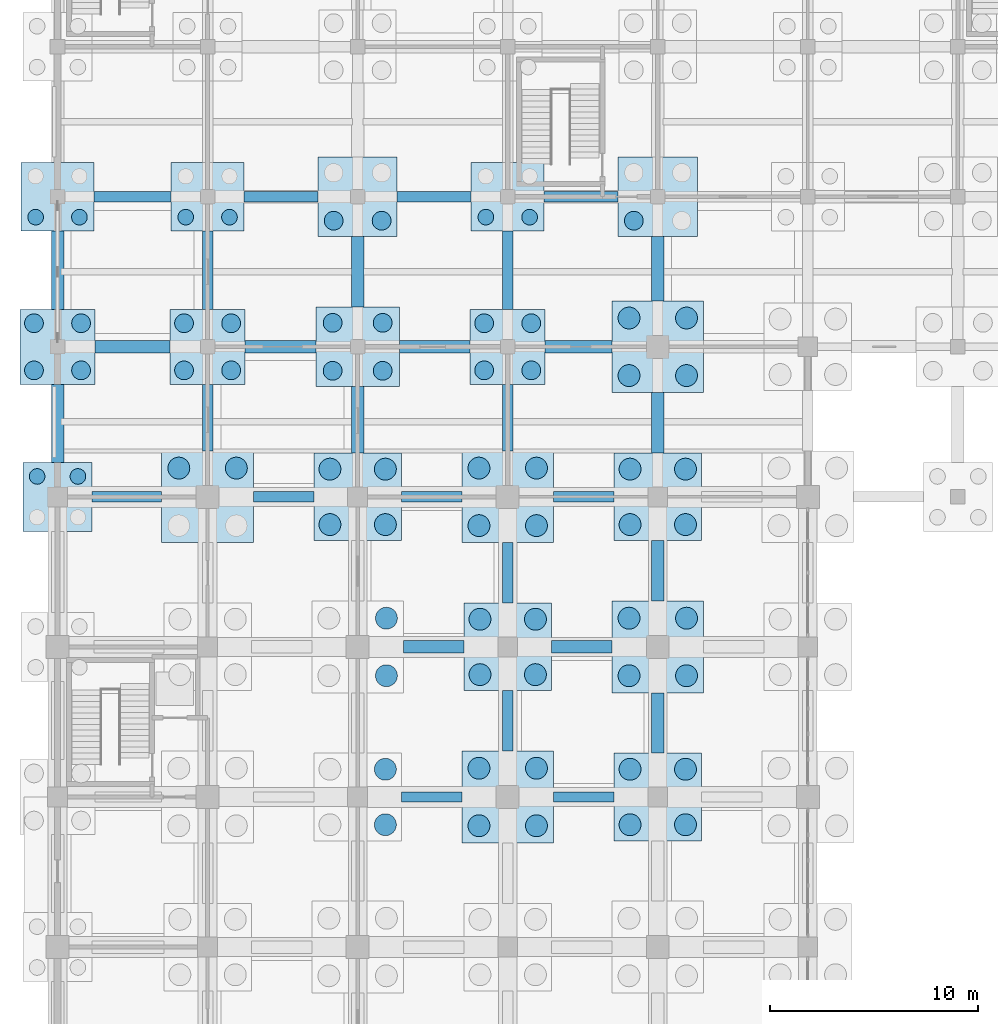
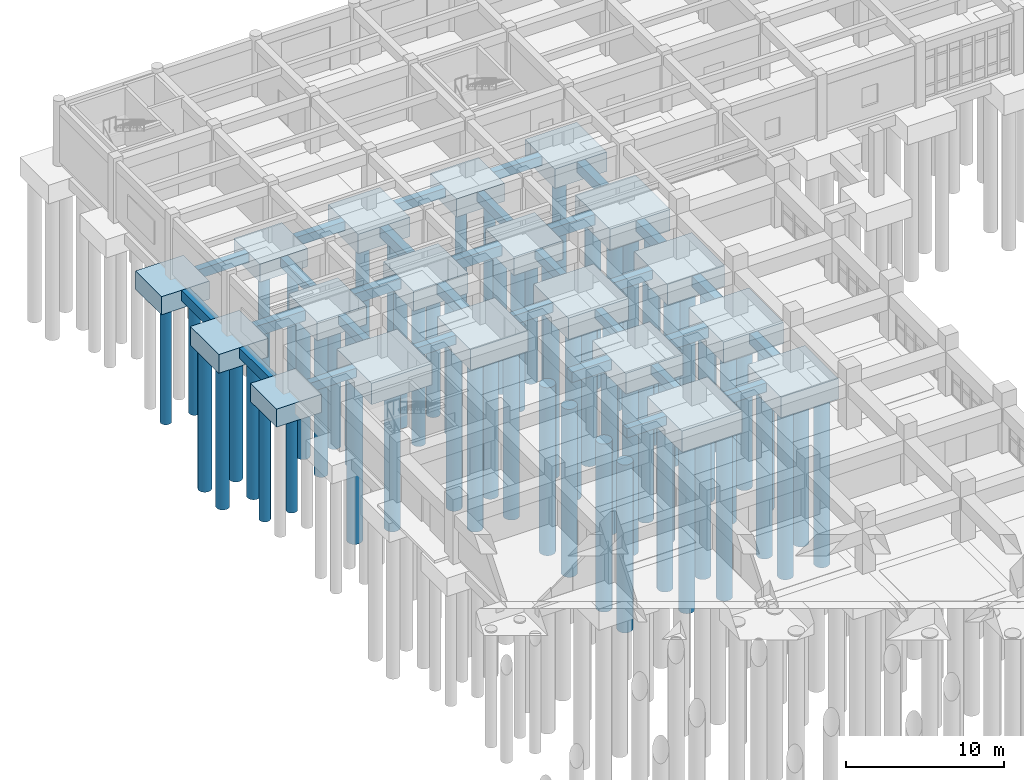
# One storey, part 7 of 79: 65 piles, 49 footings.
"""IFC4 building model written with IfcOpenShell, lengths in metres."""

from ifc_helpers import new_model, si_unit, direction, frame, origin, origin_2d, place, context, subcontext, project, spatial, polyline, rectangle, circle, outline, extrude, material, material_profile, profile_set, type_object, element, save


model = new_model("IFC4")

# Units and contexts
model_context = context("Model", 3, precision=1e-05, world=origin(), true_north=direction((0.0, 1.0)))
body_context = subcontext(model_context, "Body", "Model", "MODEL_VIEW")
ifc_project = project(units=[si_unit("LENGTHUNIT", "METRE"), si_unit("AREAUNIT", "SQUARE_METRE"), si_unit("VOLUMEUNIT", "CUBIC_METRE"), si_unit("PLANEANGLEUNIT", "RADIAN"), si_unit("MASSUNIT", "GRAM", prefix="KILO")], contexts=[model_context])

# Site, building, storey
site_placement = place(None, origin())
site = spatial("IfcSite", under=ifc_project, at=site_placement, CompositionType="ELEMENT")
building_placement = place(site_placement, origin())
building = spatial("IfcBuilding", under=site, at=building_placement, Name="Kavelor Marine Aquarium", CompositionType="ELEMENT")
storey_placement = place(building_placement, origin())
storey = spatial("IfcBuildingStorey", under=building, at=storey_placement, Name="L00", CompositionType="ELEMENT", Elevation=0.0)

# Footings
ifc_material_1 = material(Name="Concrete C40/50", Category="concrete")
footing_type_1 = type_object("IfcFootingType", Name="CAP-PC01", PredefinedType="PILE_CAP", material=ifc_material_1)
footing_1_placement = place(storey_placement, frame((0.0, 0.0, -2.0)))
element("IfcFooting", 1, at=footing_1_placement, inside=storey, type_object=footing_type_1, Name="Pile Cap PC01 (2-L)", PredefinedType="PILE_CAP", context=body_context, shape_type="SweptSolid", body=[
    extrude(outline(polyline([(8.199951171875, 79.800048828125), (12.60009765625, 79.800048828125), (12.60009765625, 84.199951171875), (8.199951171875, 84.199951171875), (8.199951171875, 79.800048828125)])), origin(), (0.0, 0.0, 1.0), 1.64990234375),
])
footing_2_placement = place(storey_placement, frame((0.0, 0.0, -2.0)))
element("IfcFooting", 2, at=footing_2_placement, inside=storey, type_object=footing_type_1, Name="Pile Cap PC01 (4-J)", PredefinedType="PILE_CAP", context=body_context, shape_type="SweptSolid", body=[
    extrude(outline(polyline([(22.60009765625, 65.39990234375), (27.0, 65.39990234375), (27.0, 69.800048828125), (22.60009765625, 69.800048828125), (22.60009765625, 65.39990234375)])), origin(), (0.0, 0.0, 1.0), 1.64990234375),
])
footing_3_placement = place(storey_placement, frame((0.0, 0.0, -2.0)))
element("IfcFooting", 3, at=footing_3_placement, inside=storey, type_object=footing_type_1, Name="Pile Cap PC01 (4-L)", PredefinedType="PILE_CAP", context=body_context, shape_type="SweptSolid", body=[
    extrude(outline(polyline([(22.60009765625, 79.800048828125), (27.0, 79.800048828125), (27.0, 84.199951171875), (22.60009765625, 84.199951171875), (22.60009765625, 79.800048828125)])), origin(), (0.0, 0.0, 1.0), 1.64990234375),
])
footing_4_placement = place(storey_placement, frame((0.0, 0.0, -2.0)))
element("IfcFooting", 4, at=footing_4_placement, inside=storey, type_object=footing_type_1, Name="Pile Cap PC01 (5-K)", PredefinedType="PILE_CAP", context=body_context, shape_type="SweptSolid", body=[
    extrude(outline(polyline([(29.800048828125, 72.60009765625), (34.199951171875, 72.60009765625), (34.199951171875, 77.0), (29.800048828125, 77.0), (29.800048828125, 72.60009765625)])), origin(), (0.0, 0.0, 1.0), 1.64990234375),
])
footing_5_placement = place(storey_placement, frame((0.0, 0.0, -2.0)))
element("IfcFooting", 5, at=footing_5_placement, inside=storey, type_object=footing_type_1, Name="Pile Cap PC01 (5-M)", PredefinedType="PILE_CAP", context=body_context, shape_type="SweptSolid", body=[
    extrude(outline(polyline([(29.800048828125, 87.0), (34.199951171875, 87.0), (34.199951171875, 91.39990234375), (29.800048828125, 91.39990234375), (29.800048828125, 87.0)])), origin(), (0.0, 0.0, 1.0), 1.64990234375),
])
ifc_material_2 = material(Name="Concrete C40/50", Category="concrete")
footing_type_2 = type_object("IfcFootingType", Name="CAP-PC02", PredefinedType="PILE_CAP", material=ifc_material_2)
footing_6_placement = place(storey_placement, frame((0.0, 0.0, -1.949951171875)))
element("IfcFooting", 6, at=footing_6_placement, inside=storey, type_object=footing_type_2, Name="Pile Cap PC02 (3-L)", PredefinedType="PILE_CAP", context=body_context, shape_type="SweptSolid", body=[
    extrude(outline(polyline([(15.5, 79.89990234375), (19.699951171875, 79.89990234375), (19.699951171875, 84.10009765625), (15.5, 84.10009765625), (15.5, 79.89990234375)])), origin(), (0.0, 0.0, 1.0), 1.599853515625),
])
footing_7_placement = place(storey_placement, frame((0.0, 0.0, -1.949951171875)))
element("IfcFooting", 7, at=footing_7_placement, inside=storey, type_object=footing_type_2, Name="Pile Cap PC02 (4-K)", PredefinedType="PILE_CAP", context=body_context, shape_type="SweptSolid", body=[
    extrude(outline(polyline([(22.699951171875, 72.699951171875), (26.89990234375, 72.699951171875), (26.89990234375, 76.89990234375), (22.699951171875, 76.89990234375), (22.699951171875, 72.699951171875)])), origin(), (0.0, 0.0, 1.0), 1.599853515625),
])
footing_8_placement = place(storey_placement, frame((0.0, 0.0, -1.949951171875)))
element("IfcFooting", 8, at=footing_8_placement, inside=storey, type_object=footing_type_2, Name="Pile Cap PC02 (5-J)", PredefinedType="PILE_CAP", context=body_context, shape_type="SweptSolid", body=[
    extrude(outline(polyline([(29.89990234375, 65.5), (34.10009765625, 65.5), (34.10009765625, 69.699951171875), (29.89990234375, 69.699951171875), (29.89990234375, 65.5)])), origin(), (0.0, 0.0, 1.0), 1.599853515625),
])
footing_9_placement = place(storey_placement, frame((0.0, 0.0, -1.949951171875)))
element("IfcFooting", 9, at=footing_9_placement, inside=storey, type_object=footing_type_2, Name="Pile Cap PC02 (5-L)", PredefinedType="PILE_CAP", context=body_context, shape_type="SweptSolid", body=[
    extrude(outline(polyline([(29.89990234375, 79.89990234375), (34.10009765625, 79.89990234375), (34.10009765625, 84.10009765625), (29.89990234375, 84.10009765625), (29.89990234375, 79.89990234375)])), origin(), (0.0, 0.0, 1.0), 1.599853515625),
])
ifc_material_3 = material(Name="Concrete C40/50", Category="concrete")
footing_type_3 = type_object("IfcFootingType", Name="CAP-PC03", PredefinedType="PILE_CAP", material=ifc_material_3)
footing_10_placement = place(storey_placement, frame((0.0, 0.0, -1.89990234375)))
element("IfcFooting", 10, at=footing_10_placement, inside=storey, type_object=footing_type_3, Name="Pile Cap PC03 (3-M)", PredefinedType="PILE_CAP", context=body_context, shape_type="SweptSolid", body=[
    extrude(outline(polyline([(15.60009765625, 87.300048828125), (19.60009765625, 87.300048828125), (19.60009765625, 91.10009765625), (15.60009765625, 91.10009765625), (15.60009765625, 87.300048828125)])), origin(), (0.0, 0.0, 1.0), 1.5498046875),
])
ifc_material_4 = material(Name="Concrete C40/50", Category="concrete")
footing_type_4 = type_object("IfcFootingType", Name="CAP-PC04", PredefinedType="PILE_CAP", material=ifc_material_4)
footing_11_placement = place(storey_placement, frame((0.0, 0.0, -1.85009765625)))
element("IfcFooting", 11, at=footing_11_placement, inside=storey, type_object=footing_type_4, Name="Pile Cap PC04 (3-N)", PredefinedType="PILE_CAP", context=body_context, shape_type="SweptSolid", body=[
    extrude(outline(polyline([(15.699951171875, 94.5), (19.5, 94.5), (19.5, 98.300048828125), (15.699951171875, 98.300048828125), (15.699951171875, 94.5)])), origin(), (0.0, 0.0, 1.0), 1.5),
])
footing_12_placement = place(storey_placement, frame((0.0, 0.0, -1.85009765625)))
element("IfcFooting", 12, at=footing_12_placement, inside=storey, type_object=footing_type_4, Name="Pile Cap PC04 (5-N)", PredefinedType="PILE_CAP", context=body_context, shape_type="SweptSolid", body=[
    extrude(outline(polyline([(30.10009765625, 94.5), (33.89990234375, 94.5), (33.89990234375, 98.300048828125), (30.10009765625, 98.300048828125), (30.10009765625, 94.5)])), origin(), (0.0, 0.0, 1.0), 1.5),
])
ifc_material_5 = material(Name="Concrete C40/50", Category="concrete")
footing_type_5 = type_object("IfcFootingType", Name="CAP-PC06", PredefinedType="PILE_CAP", material=ifc_material_5)
footing_13_placement = place(storey_placement, frame((0.0, 0.0, -1.800048828125)))
element("IfcFooting", 13, at=footing_13_placement, inside=storey, type_object=footing_type_5, Name="Pile Cap PC06 (1-M)", PredefinedType="PILE_CAP", context=body_context, shape_type="SweptSolid", body=[
    extrude(outline(polyline([(1.39990234375, 87.39990234375), (5.0, 87.39990234375), (5.0, 91.0), (1.39990234375, 91.0), (1.39990234375, 87.39990234375)])), origin(), (0.0, 0.0, 1.0), 1.449951171875),
])
footing_14_placement = place(storey_placement, frame((0.0, 0.0, -1.800048828125)))
element("IfcFooting", 14, at=footing_14_placement, inside=storey, type_object=footing_type_5, Name="Pile Cap PC06 (2-M)", PredefinedType="PILE_CAP", context=body_context, shape_type="SweptSolid", body=[
    extrude(outline(polyline([(8.60009765625, 87.39990234375), (12.199951171875, 87.39990234375), (12.199951171875, 91.0), (8.60009765625, 91.0), (8.60009765625, 87.39990234375)])), origin(), (0.0, 0.0, 1.0), 1.449951171875),
])
footing_15_placement = place(storey_placement, frame((0.0, 0.0, -1.800048828125)))
element("IfcFooting", 15, at=footing_15_placement, inside=storey, type_object=footing_type_5, Name="Pile Cap PC06 (4-M)", PredefinedType="PILE_CAP", context=body_context, shape_type="SweptSolid", body=[
    extrude(outline(polyline([(23.0, 87.39990234375), (26.60009765625, 87.39990234375), (26.60009765625, 91.0), (23.0, 91.0), (23.0, 87.39990234375)])), origin(), (0.0, 0.0, 1.0), 1.449951171875),
])
ifc_material_6 = material(Name="Concrete C40/50", Category="concrete")
footing_type_6 = type_object("IfcFootingType", Name="CAP-PC07", PredefinedType="PILE_CAP", material=ifc_material_6)
footing_16_placement = place(storey_placement, frame((0.0, 0.0, -1.75)))
element("IfcFooting", 16, at=footing_16_placement, inside=storey, type_object=footing_type_6, Name="Pile Cap PC07 (1-N)", PredefinedType="PILE_CAP", context=body_context, shape_type="SweptSolid", body=[
    extrude(outline(polyline([(1.449951171875, 94.75), (4.949951171875, 94.75), (4.949951171875, 98.050048828125), (1.449951171875, 98.050048828125), (1.449951171875, 94.75)])), origin(), (0.0, 0.0, 1.0), 1.39990234375),
])
footing_17_placement = place(storey_placement, frame((0.0, 0.0, -1.75)))
element("IfcFooting", 17, at=footing_17_placement, inside=storey, type_object=footing_type_6, Name="Pile Cap PC07 (2-N)", PredefinedType="PILE_CAP", context=body_context, shape_type="SweptSolid", body=[
    extrude(outline(polyline([(8.64990234375, 94.75), (12.14990234375, 94.75), (12.14990234375, 98.050048828125), (8.64990234375, 98.050048828125), (8.64990234375, 94.75)])), origin(), (0.0, 0.0, 1.0), 1.39990234375),
])
footing_18_placement = place(storey_placement, frame((0.0, 0.0, -1.75)))
element("IfcFooting", 18, at=footing_18_placement, inside=storey, type_object=footing_type_6, Name="Pile Cap PC07 (4-N)", PredefinedType="PILE_CAP", context=body_context, shape_type="SweptSolid", body=[
    extrude(outline(polyline([(23.050048828125, 94.75), (26.550048828125, 94.75), (26.550048828125, 98.050048828125), (23.050048828125, 98.050048828125), (23.050048828125, 94.75)])), origin(), (0.0, 0.0, 1.0), 1.39990234375),
])
ifc_material_7 = material(Name="Concrete C40/50", Category="concrete")
footing_type_7 = type_object("IfcFootingType", Name="CAP-PC08", PredefinedType="PILE_CAP", material=ifc_material_7)
footing_19_placement = place(storey_placement, frame((0.0, 0.0, -1.75)))
element("IfcFooting", 19, at=footing_19_placement, inside=storey, type_object=footing_type_7, Name="Pile Cap PC08 (1-L)", PredefinedType="PILE_CAP", context=body_context, shape_type="SweptSolid", body=[
    extrude(outline(polyline([(1.550048828125, 80.35009765625), (4.85009765625, 80.35009765625), (4.85009765625, 83.64990234375), (1.550048828125, 83.64990234375), (1.550048828125, 80.35009765625)])), origin(), (0.0, 0.0, 1.0), 1.39990234375),
])
ifc_material_8 = material(Name="Concrete C40/50", Category="concrete")
ifc_material_profile_1 = material_profile(ifc_material_8, rectangle(XDim=0.60009765625, YDim=0.800048828125, at=origin_2d()), Name="GB 600x800")
ifc_profile_set_1 = profile_set([ifc_material_profile_1], Name="Concrete C40/50")
footing_type_8 = type_object("IfcFootingType", Name="FTB-GB1", PredefinedType="FOOTING_BEAM", material=ifc_profile_set_1)
footing_20_placement = place(storey_placement, frame((3.199951171875, 83.64990234375, -0.75), z_axis=(0.0, 1.0, 0.0), x_axis=(-1.0, 0.0, 0.0)))
element("IfcFooting", 20, at=footing_20_placement, inside=storey, type_object=footing_type_8, Name="ftb:y:00_11", PredefinedType="FOOTING_BEAM", context=body_context, shape_type="SweptSolid", body=[
    extrude(rectangle(XDim=0.60009765625, YDim=0.800048828125, at=origin_2d()), origin(), (0.0, 0.0, 1.0), 3.75),
])
footing_21_placement = place(storey_placement, frame((5.0, 89.199951171875, -0.75), z_axis=(1.0, 0.0, 0.0), x_axis=(0.0, 1.0, 0.0)))
element("IfcFooting", 21, at=footing_21_placement, inside=storey, type_object=footing_type_8, Name="ftb:x:00_12", PredefinedType="FOOTING_BEAM", context=body_context, shape_type="SweptSolid", body=[
    extrude(rectangle(XDim=0.60009765625, YDim=0.800048828125, at=origin_2d()), origin(), (0.0, 0.0, 1.0), 3.60009765625),
])
footing_22_placement = place(storey_placement, frame((3.199951171875, 91.0, -0.75), z_axis=(0.0, 1.0, 0.0), x_axis=(-1.0, 0.0, 0.0)))
element("IfcFooting", 22, at=footing_22_placement, inside=storey, type_object=footing_type_8, Name="ftb:y:00_12", PredefinedType="FOOTING_BEAM", context=body_context, shape_type="SweptSolid", body=[
    extrude(rectangle(XDim=0.60009765625, YDim=0.800048828125, at=origin_2d()), origin(), (0.0, 0.0, 1.0), 3.75),
])
footing_23_placement = place(storey_placement, frame((12.199951171875, 89.199951171875, -0.75), z_axis=(1.0, 0.0, 0.0), x_axis=(0.0, 1.0, 0.0)))
element("IfcFooting", 23, at=footing_23_placement, inside=storey, type_object=footing_type_8, Name="ftb:x:01_12", PredefinedType="FOOTING_BEAM", context=body_context, shape_type="SweptSolid", body=[
    extrude(rectangle(XDim=0.60009765625, YDim=0.800048828125, at=origin_2d()), origin(), (0.0, 0.0, 1.0), 3.400146484375),
])
footing_24_placement = place(storey_placement, frame((19.800048828125, 74.800048828125, -0.75), z_axis=(1.0, 0.0, 0.0), x_axis=(0.0, 1.0, 0.0)))
element("IfcFooting", 24, at=footing_24_placement, inside=storey, type_object=footing_type_8, Name="ftb:x:02_10", PredefinedType="FOOTING_BEAM", context=body_context, shape_type="SweptSolid", body=[
    extrude(rectangle(XDim=0.60009765625, YDim=0.800048828125, at=origin_2d()), origin(), (0.0, 0.0, 1.0), 2.89990234375),
])
footing_25_placement = place(storey_placement, frame((17.60009765625, 84.10009765625, -0.75), z_axis=(0.0, 1.0, 0.0), x_axis=(-1.0, 0.0, 0.0)))
element("IfcFooting", 25, at=footing_25_placement, inside=storey, type_object=footing_type_8, Name="ftb:y:02_11", PredefinedType="FOOTING_BEAM", context=body_context, shape_type="SweptSolid", body=[
    extrude(rectangle(XDim=0.60009765625, YDim=0.800048828125, at=origin_2d()), origin(), (0.0, 0.0, 1.0), 3.199951171875),
])
for number, where, z_axis, x_axis, name in (
    (26, (19.60009765625, 89.199951171875, -0.75), (1.0, 0.0, 0.0), (0.0, 1.0, 0.0), "ftb:x:02_12"),
    (27, (17.60009765625, 91.10009765625, -0.75), (0.0, 1.0, 0.0), (-1.0, 0.0, 0.0), "ftb:y:02_12"),
):
    element("IfcFooting", number, at=place(storey_placement, frame(where, z_axis=z_axis, x_axis=x_axis)), inside=storey, type_object=footing_type_8, Name=name, PredefinedType="FOOTING_BEAM", context=body_context, shape_type="SweptSolid", body=[
        extrude(rectangle(XDim=0.60009765625, YDim=0.800048828125, at=origin_2d()), origin(), (0.0, 0.0, 1.0), 3.39990234375),
    ])
footing_26_placement = place(storey_placement, frame((26.89990234375, 74.800048828125, -0.75), z_axis=(1.0, 0.0, 0.0), x_axis=(0.0, 1.0, 0.0)))
element("IfcFooting", 28, at=footing_26_placement, inside=storey, type_object=footing_type_8, Name="ftb:x:03_10", PredefinedType="FOOTING_BEAM", context=body_context, shape_type="SweptSolid", body=[
    extrude(rectangle(XDim=0.60009765625, YDim=0.800048828125, at=origin_2d()), origin(), (0.0, 0.0, 1.0), 2.900146484375),
])
footing_27_placement = place(storey_placement, frame((26.60009765625, 89.199951171875, -0.75), z_axis=(1.0, 0.0, 0.0), x_axis=(0.0, 1.0, 0.0)))
element("IfcFooting", 29, at=footing_27_placement, inside=storey, type_object=footing_type_8, Name="ftb:x:03_12", PredefinedType="FOOTING_BEAM", context=body_context, shape_type="SweptSolid", body=[
    extrude(rectangle(XDim=0.60009765625, YDim=0.800048828125, at=origin_2d()), origin(), (0.0, 0.0, 1.0), 3.199951171875),
])
footing_28_placement = place(storey_placement, frame((32.0, 69.699951171875, -0.75), z_axis=(0.0, 1.0, 0.0), x_axis=(-1.0, 0.0, 0.0)))
element("IfcFooting", 30, at=footing_28_placement, inside=storey, type_object=footing_type_8, Name="ftb:y:04_09", PredefinedType="FOOTING_BEAM", context=body_context, shape_type="SweptSolid", body=[
    extrude(rectangle(XDim=0.60009765625, YDim=0.800048828125, at=origin_2d()), origin(), (0.0, 0.0, 1.0), 2.900146484375),
])
for number, where, z_axis, x_axis, name in (
    (31, (32.0, 77.0, -0.75), (0.0, 1.0, 0.0), (-1.0, 0.0, 0.0), "ftb:y:04_10"),
    (32, (32.0, 84.10009765625, -0.75), (0.0, 1.0, 0.0), (-1.0, 0.0, 0.0), "ftb:y:04_11"),
):
    element("IfcFooting", number, at=place(storey_placement, frame(where, z_axis=z_axis, x_axis=x_axis)), inside=storey, type_object=footing_type_8, Name=name, PredefinedType="FOOTING_BEAM", context=body_context, shape_type="SweptSolid", body=[
        extrude(rectangle(XDim=0.60009765625, YDim=0.800048828125, at=origin_2d()), origin(), (0.0, 0.0, 1.0), 2.89990234375),
    ])
footing_29_placement = place(storey_placement, frame((32.0, 91.39990234375, -0.75), z_axis=(0.0, 1.0, 0.0), x_axis=(-1.0, 0.0, 0.0)))
element("IfcFooting", 33, at=footing_29_placement, inside=storey, type_object=footing_type_8, Name="ftb:y:04_12", PredefinedType="FOOTING_BEAM", context=body_context, shape_type="SweptSolid", body=[
    extrude(rectangle(XDim=0.60009765625, YDim=0.800048828125, at=origin_2d()), origin(), (0.0, 0.0, 1.0), 3.10009765625),
])
ifc_material_9 = material(Name="Concrete C40/50", Category="concrete")
ifc_material_profile_2 = material_profile(ifc_material_9, rectangle(XDim=0.5, YDim=0.699951171875, at=origin_2d()), Name="GB 500x700")
ifc_profile_set_2 = profile_set([ifc_material_profile_2], Name="Concrete C40/50")
footing_type_9 = type_object("IfcFootingType", Name="FTB-GB2", PredefinedType="FOOTING_BEAM", material=ifc_profile_set_2)
footing_30_placement = place(storey_placement, frame((4.85009765625, 82.0, -0.699951171875), z_axis=(1.0, 0.0, 0.0), x_axis=(0.0, 1.0, 0.0)))
element("IfcFooting", 34, at=footing_30_placement, inside=storey, type_object=footing_type_9, Name="ftb:x:00_11", PredefinedType="FOOTING_BEAM", context=body_context, shape_type="SweptSolid", body=[
    extrude(rectangle(XDim=0.5, YDim=0.699951171875, at=origin_2d()), origin(), (0.0, 0.0, 1.0), 3.349853515625),
])
footing_31_placement = place(storey_placement, frame((4.949951171875, 96.39990234375, -0.699951171875), z_axis=(1.0, 0.0, 0.0), x_axis=(0.0, 1.0, 0.0)))
element("IfcFooting", 35, at=footing_31_placement, inside=storey, type_object=footing_type_9, Name="ftb:x:00_13", PredefinedType="FOOTING_BEAM", context=body_context, shape_type="SweptSolid", body=[
    extrude(rectangle(XDim=0.5, YDim=0.699951171875, at=origin_2d()), origin(), (0.0, 0.0, 1.0), 3.699951171875),
])
footing_32_placement = place(storey_placement, frame((12.60009765625, 82.0, -0.699951171875), z_axis=(1.0, 0.0, 0.0), x_axis=(0.0, 1.0, 0.0)))
element("IfcFooting", 36, at=footing_32_placement, inside=storey, type_object=footing_type_9, Name="ftb:x:01_11", PredefinedType="FOOTING_BEAM", context=body_context, shape_type="SweptSolid", body=[
    extrude(rectangle(XDim=0.5, YDim=0.699951171875, at=origin_2d()), origin(), (0.0, 0.0, 1.0), 2.89990234375),
])
footing_33_placement = place(storey_placement, frame((10.39990234375, 84.199951171875, -0.699951171875), z_axis=(0.0, 1.0, 0.0), x_axis=(-1.0, 0.0, 0.0)))
element("IfcFooting", 37, at=footing_33_placement, inside=storey, type_object=footing_type_9, Name="ftb:y:01_11", PredefinedType="FOOTING_BEAM", context=body_context, shape_type="SweptSolid", body=[
    extrude(rectangle(XDim=0.5, YDim=0.699951171875, at=origin_2d()), origin(), (0.0, 0.0, 1.0), 3.199951171875),
])
footing_34_placement = place(storey_placement, frame((10.39990234375, 91.0, -0.699951171875), z_axis=(0.0, 1.0, 0.0), x_axis=(-1.0, 0.0, 0.0)))
element("IfcFooting", 38, at=footing_34_placement, inside=storey, type_object=footing_type_9, Name="ftb:y:01_12", PredefinedType="FOOTING_BEAM", context=body_context, shape_type="SweptSolid", body=[
    extrude(rectangle(XDim=0.5, YDim=0.699951171875, at=origin_2d()), origin(), (0.0, 0.0, 1.0), 3.75),
])
footing_35_placement = place(storey_placement, frame((12.14990234375, 96.39990234375, -0.699951171875), z_axis=(1.0, 0.0, 0.0), x_axis=(0.0, 1.0, 0.0)))
element("IfcFooting", 39, at=footing_35_placement, inside=storey, type_object=footing_type_9, Name="ftb:x:01_13", PredefinedType="FOOTING_BEAM", context=body_context, shape_type="SweptSolid", body=[
    extrude(rectangle(XDim=0.5, YDim=0.699951171875, at=origin_2d()), origin(), (0.0, 0.0, 1.0), 3.550048828125),
])
for number, where, z_axis, x_axis, name in (
    (40, (19.699951171875, 67.60009765625, -0.699951171875), (1.0, 0.0, 0.0), (0.0, 1.0, 0.0), "ftb:x:02_09"),
    (41, (19.699951171875, 82.0, -0.699951171875), (1.0, 0.0, 0.0), (0.0, 1.0, 0.0), "ftb:x:02_11"),
):
    element("IfcFooting", number, at=place(storey_placement, frame(where, z_axis=z_axis, x_axis=x_axis)), inside=storey, type_object=footing_type_9, Name=name, PredefinedType="FOOTING_BEAM", context=body_context, shape_type="SweptSolid", body=[
        extrude(rectangle(XDim=0.5, YDim=0.699951171875, at=origin_2d()), origin(), (0.0, 0.0, 1.0), 2.900146484375),
    ])
footing_36_placement = place(storey_placement, frame((19.5, 96.39990234375, -0.699951171875), z_axis=(1.0, 0.0, 0.0), x_axis=(0.0, 1.0, 0.0)))
element("IfcFooting", 42, at=footing_36_placement, inside=storey, type_object=footing_type_9, Name="ftb:x:02_13", PredefinedType="FOOTING_BEAM", context=body_context, shape_type="SweptSolid", body=[
    extrude(rectangle(XDim=0.5, YDim=0.699951171875, at=origin_2d()), origin(), (0.0, 0.0, 1.0), 3.550048828125),
])
for number, where, z_axis, x_axis, name in (
    (43, (27.0, 67.60009765625, -0.699951171875), (1.0, 0.0, 0.0), (0.0, 1.0, 0.0), "ftb:x:03_09"),
    (44, (24.800048828125, 69.800048828125, -0.699951171875), (0.0, 1.0, 0.0), (-1.0, 0.0, 0.0), "ftb:y:03_09"),
):
    element("IfcFooting", number, at=place(storey_placement, frame(where, z_axis=z_axis, x_axis=x_axis)), inside=storey, type_object=footing_type_9, Name=name, PredefinedType="FOOTING_BEAM", context=body_context, shape_type="SweptSolid", body=[
        extrude(rectangle(XDim=0.5, YDim=0.699951171875, at=origin_2d()), origin(), (0.0, 0.0, 1.0), 2.89990234375),
    ])
footing_37_placement = place(storey_placement, frame((24.800048828125, 76.89990234375, -0.699951171875), z_axis=(0.0, 1.0, 0.0), x_axis=(-1.0, 0.0, 0.0)))
element("IfcFooting", 45, at=footing_37_placement, inside=storey, type_object=footing_type_9, Name="ftb:y:03_10", PredefinedType="FOOTING_BEAM", context=body_context, shape_type="SweptSolid", body=[
    extrude(rectangle(XDim=0.5, YDim=0.699951171875, at=origin_2d()), origin(), (0.0, 0.0, 1.0), 2.900146484375),
])
footing_38_placement = place(storey_placement, frame((27.0, 82.0, -0.699951171875), z_axis=(1.0, 0.0, 0.0), x_axis=(0.0, 1.0, 0.0)))
element("IfcFooting", 46, at=footing_38_placement, inside=storey, type_object=footing_type_9, Name="ftb:x:03_11", PredefinedType="FOOTING_BEAM", context=body_context, shape_type="SweptSolid", body=[
    extrude(rectangle(XDim=0.5, YDim=0.699951171875, at=origin_2d()), origin(), (0.0, 0.0, 1.0), 2.89990234375),
])
footing_39_placement = place(storey_placement, frame((24.800048828125, 84.199951171875, -0.699951171875), z_axis=(0.0, 1.0, 0.0), x_axis=(-1.0, 0.0, 0.0)))
element("IfcFooting", 47, at=footing_39_placement, inside=storey, type_object=footing_type_9, Name="ftb:y:03_11", PredefinedType="FOOTING_BEAM", context=body_context, shape_type="SweptSolid", body=[
    extrude(rectangle(XDim=0.5, YDim=0.699951171875, at=origin_2d()), origin(), (0.0, 0.0, 1.0), 3.199951171875),
])
footing_40_placement = place(storey_placement, frame((24.800048828125, 91.0, -0.699951171875), z_axis=(0.0, 1.0, 0.0), x_axis=(-1.0, 0.0, 0.0)))
element("IfcFooting", 48, at=footing_40_placement, inside=storey, type_object=footing_type_9, Name="ftb:y:03_12", PredefinedType="FOOTING_BEAM", context=body_context, shape_type="SweptSolid", body=[
    extrude(rectangle(XDim=0.5, YDim=0.699951171875, at=origin_2d()), origin(), (0.0, 0.0, 1.0), 3.75),
])
footing_41_placement = place(storey_placement, frame((26.550048828125, 96.39990234375, -0.699951171875), z_axis=(1.0, 0.0, 0.0), x_axis=(0.0, 1.0, 0.0)))
element("IfcFooting", 49, at=footing_41_placement, inside=storey, type_object=footing_type_9, Name="ftb:x:03_13", PredefinedType="FOOTING_BEAM", context=body_context, shape_type="SweptSolid", body=[
    extrude(rectangle(XDim=0.5, YDim=0.699951171875, at=origin_2d()), origin(), (0.0, 0.0, 1.0), 3.550048828125),
])

# Piles
ifc_material_10 = material(Name="Concrete C40/50", Category="concrete")
ifc_material_profile_3 = material_profile(ifc_material_10, circle(Radius=0.52490234375, at=origin_2d()), Name="PILE D1050")
ifc_profile_set_3 = profile_set([ifc_material_profile_3], Name="Concrete C40/50")
pile_type_1 = type_object("IfcPileType", Name="PILE-P1", PredefinedType="BORED", material=ifc_profile_set_3)
for number, where, z_axis, x_axis, name in (
    (50, (9.02001953125, 83.3798828125, -1.89990234375), (0.0, 0.0, -1.0), (1.0, 0.0, 0.0), "Bored Pile P1 (2-L-3)"),
    (51, (11.780029296875, 83.3798828125, -1.89990234375), (0.0, 0.0, -1.0), (1.0, 0.0, 0.0), "Bored Pile P1 (2-L-4)"),
    (52, (18.929931640625, 66.27001953125, -1.85009765625), (0.0, 0.0, -1.0), (1.0, 0.0, 0.0), "Bored Pile P1 (3-J-2)"),
    (53, (18.929931640625, 68.929931640625, -1.85009765625), (0.0, 0.0, -1.0), (1.0, 0.0, 0.0), "Bored Pile P1 (3-J-4)"),
    (54, (18.97998046875, 73.419921875, -1.89990234375), (0.0, 0.0, -1.0), (1.0, 0.0, 0.0), "Bored Pile P1 (3-K-2)"),
    (55, (18.97998046875, 76.179931640625, -1.89990234375), (0.0, 0.0, -1.0), (1.0, 0.0, 0.0), "Bored Pile P1 (3-K-4)"),
    (56, (16.27001953125, 80.669921875, -1.85009765625), (0.0, 0.0, -1.0), (1.0, 0.0, 0.0), "Bored Pile P1 (3-L-1)"),
    (57, (18.929931640625, 80.669921875, -1.85009765625), (0.0, 0.0, -1.0), (1.0, 0.0, 0.0), "Bored Pile P1 (3-L-2)"),
    (58, (16.27001953125, 83.330078125, -1.85009765625), (0.0, 0.0, -1.0), (1.0, 0.0, 0.0), "Bored Pile P1 (3-L-3)"),
    (59, (18.929931640625, 83.330078125, -1.85009765625), (0.0, 0.0, -1.0), (1.0, 0.0, 0.0), "Bored Pile P1 (3-L-4)"),
    (60, (23.419921875, 66.219970703125, -1.89990234375), (0.0, 0.0, -1.0), (1.0, 0.0, 0.0), "Bored Pile P1 (4-J-1)"),
    (61, (26.179931640625, 66.219970703125, -1.89990234375), (0.0, 0.0, -1.0), (1.0, 0.0, 0.0), "Bored Pile P1 (4-J-2)"),
    (62, (23.419921875, 68.97998046875, -1.89990234375), (0.0, 0.0, -1.0), (1.0, 0.0, 0.0), "Bored Pile P1 (4-J-3)"),
    (63, (26.179931640625, 68.97998046875, -1.89990234375), (0.0, 0.0, -1.0), (1.0, 0.0, 0.0), "Bored Pile P1 (4-J-4)"),
    (64, (23.469970703125, 73.469970703125, -1.85009765625), (0.0, 0.0, -1.0), (1.0, 0.0, 0.0), "Bored Pile P1 (4-K-1)"),
    (65, (26.1298828125, 73.469970703125, -1.85009765625), (0.0, 0.0, -1.0), (1.0, 0.0, 0.0), "Bored Pile P1 (4-K-2)"),
    (66, (23.469970703125, 76.1298828125, -1.85009765625), (0.0, 0.0, -1.0), (1.0, 0.0, 0.0), "Bored Pile P1 (4-K-3)"),
    (67, (26.1298828125, 76.1298828125, -1.85009765625), (0.0, 0.0, -1.0), (1.0, 0.0, 0.0), "Bored Pile P1 (4-K-4)"),
    (68, (23.419921875, 80.6201171875, -1.89990234375), (0.0, 0.0, -1.0), (1.0, 0.0, 0.0), "Bored Pile P1 (4-L-1)"),
    (69, (26.179931640625, 80.6201171875, -1.89990234375), (0.0, 0.0, -1.0), (1.0, 0.0, 0.0), "Bored Pile P1 (4-L-2)"),
    (70, (23.419921875, 83.3798828125, -1.89990234375), (0.0, 0.0, -1.0), (1.0, 0.0, 0.0), "Bored Pile P1 (4-L-3)"),
    (71, (26.179931640625, 83.3798828125, -1.89990234375), (0.0, 0.0, -1.0), (1.0, 0.0, 0.0), "Bored Pile P1 (4-L-4)"),
    (72, (30.669921875, 66.27001953125, -1.85009765625), (0.0, 0.0, -1.0), (1.0, 0.0, 0.0), "Bored Pile P1 (5-J-1)"),
    (73, (33.330078125, 66.27001953125, -1.85009765625), (0.0, 0.0, -1.0), (1.0, 0.0, 0.0), "Bored Pile P1 (5-J-2)"),
    (74, (30.669921875, 68.929931640625, -1.85009765625), (0.0, 0.0, -1.0), (1.0, 0.0, 0.0), "Bored Pile P1 (5-J-3)"),
    (75, (33.330078125, 68.929931640625, -1.85009765625), (0.0, 0.0, -1.0), (1.0, 0.0, 0.0), "Bored Pile P1 (5-J-4)"),
    (76, (30.6201171875, 73.419921875, -1.89990234375), (0.0, 0.0, -1.0), (1.0, 0.0, 0.0), "Bored Pile P1 (5-K-1)"),
    (77, (33.3798828125, 73.419921875, -1.89990234375), (0.0, 0.0, -1.0), (1.0, 0.0, 0.0), "Bored Pile P1 (5-K-2)"),
    (78, (30.6201171875, 76.179931640625, -1.89990234375), (0.0, 0.0, -1.0), (1.0, 0.0, 0.0), "Bored Pile P1 (5-K-3)"),
    (79, (33.3798828125, 76.179931640625, -1.89990234375), (0.0, 0.0, -1.0), (1.0, 0.0, 0.0), "Bored Pile P1 (5-K-4)"),
    (80, (30.669921875, 80.669921875, -1.85009765625), (0.0, 0.0, -1.0), (1.0, 0.0, 0.0), "Bored Pile P1 (5-L-1)"),
    (81, (33.330078125, 80.669921875, -1.85009765625), (0.0, 0.0, -1.0), (1.0, 0.0, 0.0), "Bored Pile P1 (5-L-2)"),
    (82, (30.669921875, 83.330078125, -1.85009765625), (0.0, 0.0, -1.0), (1.0, 0.0, 0.0), "Bored Pile P1 (5-L-3)"),
    (83, (33.330078125, 83.330078125, -1.85009765625), (0.0, 0.0, -1.0), (1.0, 0.0, 0.0), "Bored Pile P1 (5-L-4)"),
    (84, (30.6201171875, 87.820068359375, -1.89990234375), (0.0, 0.0, -1.0), (1.0, 0.0, 0.0), "Bored Pile P1 (5-M-1)"),
    (85, (33.3798828125, 87.820068359375, -1.89990234375), (0.0, 0.0, -1.0), (1.0, 0.0, 0.0), "Bored Pile P1 (5-M-2)"),
    (86, (30.6201171875, 90.580078125, -1.89990234375), (0.0, 0.0, -1.0), (1.0, 0.0, 0.0), "Bored Pile P1 (5-M-3)"),
    (87, (33.3798828125, 90.580078125, -1.89990234375), (0.0, 0.0, -1.0), (1.0, 0.0, 0.0), "Bored Pile P1 (5-M-4)"),
):
    element("IfcPile", number, at=place(storey_placement, frame(where, z_axis=z_axis, x_axis=x_axis)), inside=storey, type_object=pile_type_1, Name=name, PredefinedType="BORED", context=body_context, shape_type="SweptSolid", body=[
        extrude(circle(Radius=0.52490234375, at=origin_2d()), origin(), (0.0, 0.0, 1.0), 13.0),
    ])
ifc_material_11 = material(Name="Concrete C40/50", Category="concrete")
ifc_material_profile_4 = material_profile(ifc_material_11, circle(Radius=0.449951171875, at=origin_2d()), Name="PILE D900")
ifc_profile_set_4 = profile_set([ifc_material_profile_4], Name="Concrete C40/50")
pile_type_2 = type_object("IfcPileType", Name="PILE-P2", PredefinedType="BORED", material=ifc_profile_set_4)
for number, where, z_axis, x_axis, name in (
    (88, (2.070068359375, 88.070068359375, -1.699951171875), (0.0, 0.0, -1.0), (1.0, 0.0, 0.0), "Bored Pile P2 (1-M-1)"),
    (89, (4.330078125, 88.070068359375, -1.699951171875), (0.0, 0.0, -1.0), (1.0, 0.0, 0.0), "Bored Pile P2 (1-M-2)"),
    (90, (2.070068359375, 90.330078125, -1.699951171875), (0.0, 0.0, -1.0), (1.0, 0.0, 0.0), "Bored Pile P2 (1-M-3)"),
    (91, (4.330078125, 90.330078125, -1.699951171875), (0.0, 0.0, -1.0), (1.0, 0.0, 0.0), "Bored Pile P2 (1-M-4)"),
    (92, (9.27001953125, 88.070068359375, -1.699951171875), (0.0, 0.0, -1.0), (1.0, 0.0, 0.0), "Bored Pile P2 (2-M-1)"),
    (93, (11.530029296875, 88.070068359375, -1.699951171875), (0.0, 0.0, -1.0), (1.0, 0.0, 0.0), "Bored Pile P2 (2-M-2)"),
    (94, (9.27001953125, 90.330078125, -1.699951171875), (0.0, 0.0, -1.0), (1.0, 0.0, 0.0), "Bored Pile P2 (2-M-3)"),
    (95, (11.530029296875, 90.330078125, -1.699951171875), (0.0, 0.0, -1.0), (1.0, 0.0, 0.0), "Bored Pile P2 (2-M-4)"),
    (96, (16.39990234375, 88.050048828125, -1.800048828125), (0.0, 0.0, -1.0), (1.0, 0.0, 0.0), "Bored Pile P2 (3-M-1)"),
    (97, (18.800048828125, 88.050048828125, -1.800048828125), (0.0, 0.0, -1.0), (1.0, 0.0, 0.0), "Bored Pile P2 (3-M-2)"),
    (98, (16.39990234375, 90.35009765625, -1.800048828125), (0.0, 0.0, -1.0), (1.0, 0.0, 0.0), "Bored Pile P2 (3-M-3)"),
    (99, (18.800048828125, 90.35009765625, -1.800048828125), (0.0, 0.0, -1.0), (1.0, 0.0, 0.0), "Bored Pile P2 (3-M-4)"),
    (100, (16.449951171875, 95.25, -1.75), (0.0, 0.0, -1.0), (1.0, 0.0, 0.0), "Bored Pile P2 (3-N-1)"),
    (101, (18.75, 95.25, -1.75), (0.0, 0.0, -1.0), (1.0, 0.0, 0.0), "Bored Pile P2 (3-N-2)"),
    (102, (23.669921875, 88.070068359375, -1.699951171875), (0.0, 0.0, -1.0), (1.0, 0.0, 0.0), "Bored Pile P2 (4-M-1)"),
    (103, (25.929931640625, 88.070068359375, -1.699951171875), (0.0, 0.0, -1.0), (1.0, 0.0, 0.0), "Bored Pile P2 (4-M-2)"),
    (104, (23.669921875, 90.330078125, -1.699951171875), (0.0, 0.0, -1.0), (1.0, 0.0, 0.0), "Bored Pile P2 (4-M-3)"),
    (105, (25.929931640625, 90.330078125, -1.699951171875), (0.0, 0.0, -1.0), (1.0, 0.0, 0.0), "Bored Pile P2 (4-M-4)"),
    (106, (30.85009765625, 95.25, -1.75), (0.0, 0.0, -1.0), (1.0, 0.0, 0.0), "Bored Pile P2 (5-N-1)"),
):
    element("IfcPile", number, at=place(storey_placement, frame(where, z_axis=z_axis, x_axis=x_axis)), inside=storey, type_object=pile_type_2, Name=name, PredefinedType="BORED", context=body_context, shape_type="SweptSolid", body=[
        extrude(circle(Radius=0.449951171875, at=origin_2d()), origin(), (0.0, 0.0, 1.0), 11.0),
    ])
ifc_material_12 = material(Name="Concrete C40/50", Category="concrete")
ifc_material_profile_5 = material_profile(ifc_material_12, circle(Radius=0.375, at=origin_2d()), Name="PILE D750")
ifc_profile_set_5 = profile_set([ifc_material_profile_5], Name="Concrete C40/50")
pile_type_3 = type_object("IfcPileType", Name="PILE-P3", PredefinedType="BORED", material=ifc_profile_set_5)
for number, where, z_axis, x_axis, name in (
    (107, (2.219970703125, 82.97998046875, -1.64990234375), (0.0, 0.0, -1.0), (1.0, 0.0, 0.0), "Bored Pile P3 (1-L-3)"),
    (108, (4.179931640625, 82.97998046875, -1.64990234375), (0.0, 0.0, -1.0), (1.0, 0.0, 0.0), "Bored Pile P3 (1-L-4)"),
    (109, (2.14990234375, 95.419921875, -1.64990234375), (0.0, 0.0, -1.0), (1.0, 0.0, 0.0), "Bored Pile P3 (1-N-1)"),
    (110, (4.25, 95.419921875, -1.64990234375), (0.0, 0.0, -1.0), (1.0, 0.0, 0.0), "Bored Pile P3 (1-N-2)"),
    (111, (9.35009765625, 95.419921875, -1.64990234375), (0.0, 0.0, -1.0), (1.0, 0.0, 0.0), "Bored Pile P3 (2-N-1)"),
    (112, (11.449951171875, 95.419921875, -1.64990234375), (0.0, 0.0, -1.0), (1.0, 0.0, 0.0), "Bored Pile P3 (2-N-2)"),
    (113, (23.75, 95.419921875, -1.64990234375), (0.0, 0.0, -1.0), (1.0, 0.0, 0.0), "Bored Pile P3 (4-N-1)"),
    (114, (25.85009765625, 95.419921875, -1.64990234375), (0.0, 0.0, -1.0), (1.0, 0.0, 0.0), "Bored Pile P3 (4-N-2)"),
):
    element("IfcPile", number, at=place(storey_placement, frame(where, z_axis=z_axis, x_axis=x_axis)), inside=storey, type_object=pile_type_3, Name=name, PredefinedType="BORED", context=body_context, shape_type="SweptSolid", body=[
        extrude(circle(Radius=0.375, at=origin_2d()), origin(), (0.0, 0.0, 1.0), 9.0),
    ])

save(model, "model.ifc")
